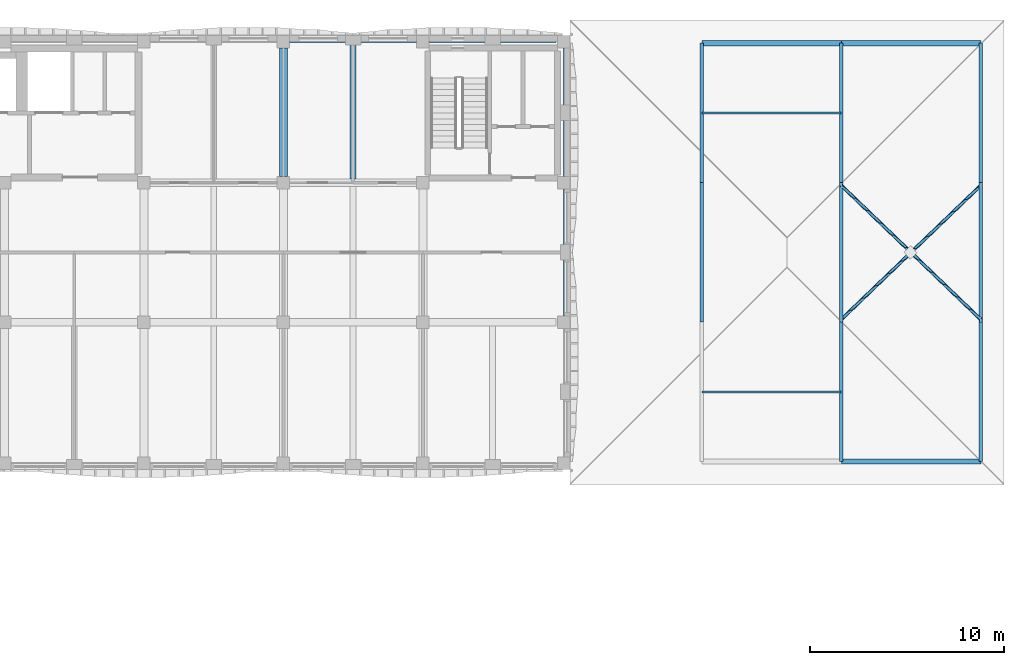
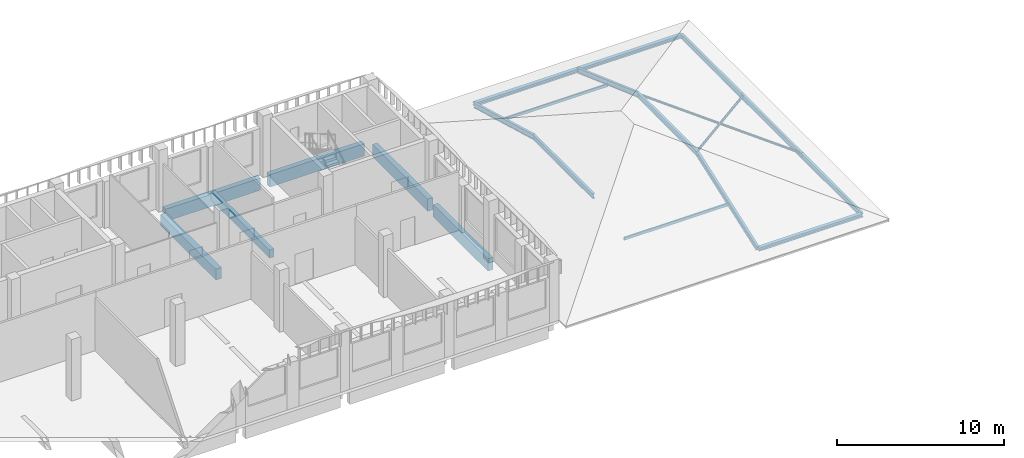
# One storey, part 13 of 54: 16 members, 6 beams.
"""IFC4 building model written with IfcOpenShell, lengths in metres."""

from ifc_helpers import new_model, si_unit, direction, frame, origin, origin_2d, place, context, subcontext, project, spatial, rectangle, hollow_rectangle, hollow_circle, i_section, extrude, material, material_profile, profile_set, type_object, element, save


model = new_model("IFC4")

# Units and contexts
model_context = context("Model", 3, precision=1e-05, world=origin(), true_north=direction((0.0, 1.0)))
body_context = subcontext(model_context, "Body", "Model", "MODEL_VIEW")
ifc_project = project(units=[si_unit("LENGTHUNIT", "METRE"), si_unit("AREAUNIT", "SQUARE_METRE"), si_unit("VOLUMEUNIT", "CUBIC_METRE"), si_unit("PLANEANGLEUNIT", "RADIAN"), si_unit("MASSUNIT", "GRAM", prefix="KILO")], contexts=[model_context])

# Site, building, storey
site_placement = place(None, origin())
site = spatial("IfcSite", under=ifc_project, at=site_placement, CompositionType="ELEMENT")
building_placement = place(site_placement, origin())
building = spatial("IfcBuilding", under=site, at=building_placement, Name="Ussher Court Research Institute", CompositionType="ELEMENT")
storey_placement = place(building_placement, frame((0.0, 0.0, 14.39990234375)))
storey = spatial("IfcBuildingStorey", under=building, at=storey_placement, Name="L03", CompositionType="ELEMENT", Elevation=14.39990234375)

# Members
ifc_material_1 = material(Name="Steel S355", Category="steel")
ifc_material_profile_1 = material_profile(ifc_material_1, hollow_circle(Radius=0.083984375, WallThickness=0.007080078125, at=origin_2d()), Name="CHS 168x7")
ifc_profile_set_1 = profile_set([ifc_material_profile_1], Name="Steel S355")
member_type_1 = type_object("IfcMemberType", Name="CHS 168x7 brace", PredefinedType="BRACE", material=ifc_profile_set_1)
member_1_placement = place(storey_placement, frame((96.610107421875, 76.14990234375, 2.7353515625), z_axis=(0.697400694075, 0.67022461888, -0.253833079308), x_axis=(-0.692919077889, 0.721015361485, 0.0)))
element("IfcMember", 1, at=member_1_placement, inside=storey, type_object=member_type_1, Name="RB2 V3 L03-01", PredefinedType="BRACE", context=body_context, shape_type="SweptSolid", body=[
    extrude(hollow_circle(Radius=0.083984375, WallThickness=0.007080078125, at=origin_2d()), origin(), (0.0, 0.0, 1.0), 10.295166015625),
])
member_2_placement = place(storey_placement, frame((96.610107421875, 83.050048828125, 2.7353515625), z_axis=(0.697378662922, -0.670252492739, -0.253820008033), x_axis=(0.692945438175, 0.720990027471, 0.0)))
element("IfcMember", 2, at=member_2_placement, inside=storey, type_object=member_type_1, Name="RB2 V3 L03-02", PredefinedType="BRACE", context=body_context, shape_type="SweptSolid", body=[
    extrude(hollow_circle(Radius=0.083984375, WallThickness=0.007080078125, at=origin_2d()), origin(), (0.0, 0.0, 1.0), 5.067138671875),
])
member_3_placement = place(storey_placement, frame((100.256103515625, 79.546142578125, 1.408203125), z_axis=(0.697403410715, -0.670229972122, -0.25381147963), x_axis=(0.69292055186, 0.721013944948, 0.0)))
element("IfcMember", 3, at=member_3_placement, inside=storey, type_object=member_type_1, Name="RB2 V3 L03-03", PredefinedType="BRACE", context=body_context, shape_type="SweptSolid", body=[
    extrude(hollow_circle(Radius=0.083984375, WallThickness=0.007080078125, at=origin_2d()), origin(), (0.0, 0.0, 1.0), 5.0673828125),
])
ifc_material_2 = material(Name="Steel S355", Category="steel")
ifc_material_profile_2 = material_profile(ifc_material_2, i_section(OverallWidth=0.260009765625, OverallDepth=0.25, WebThickness=0.007568359375, FlangeThickness=0.012451171875, at=origin_2d()), Name="HEA 260")
ifc_profile_set_2 = profile_set([ifc_material_profile_2], Name="Steel S355")
member_type_2 = type_object("IfcMemberType", Name="HEA 260 purlin", PredefinedType="PURLIN", material=ifc_profile_set_2)
member_4_placement = place(storey_placement, frame((96.60009765625, 68.800048828125, 0.0791015625), z_axis=(1.0, 0.0, 0.0), x_axis=(0.0, 1.0, 0.0)))
element("IfcMember", 4, at=member_4_placement, inside=storey, type_object=member_type_2, Name="SP2 V3 L03-02", PredefinedType="PURLIN", context=body_context, shape_type="SweptSolid", body=[
    extrude(i_section(OverallWidth=0.260009765625, OverallDepth=0.25, WebThickness=0.007568359375, FlangeThickness=0.012451171875, at=origin_2d()), origin(), (0.0, 0.0, 1.0), 7.199951171875),
])
member_5_placement = place(storey_placement, frame((89.39990234375, 90.39990234375, 0.0791015625), z_axis=(1.0, 0.0, 0.0), x_axis=(0.0, 1.0, 0.0)))
element("IfcMember", 5, at=member_5_placement, inside=storey, type_object=member_type_2, Name="SP2 V3 L03-03", PredefinedType="PURLIN", context=body_context, shape_type="SweptSolid", body=[
    extrude(i_section(OverallWidth=0.260009765625, OverallDepth=0.25, WebThickness=0.007568359375, FlangeThickness=0.012451171875, at=origin_2d()), origin(), (0.0, 0.0, 1.0), 7.2001953125),
])
member_6_placement = place(storey_placement, frame((96.60009765625, 90.39990234375, 0.0791015625), z_axis=(1.0, 0.0, 0.0), x_axis=(0.0, 1.0, 0.0)))
element("IfcMember", 6, at=member_6_placement, inside=storey, type_object=member_type_2, Name="SP2 V3 L03-04", PredefinedType="PURLIN", context=body_context, shape_type="SweptSolid", body=[
    extrude(i_section(OverallWidth=0.260009765625, OverallDepth=0.25, WebThickness=0.007568359375, FlangeThickness=0.012451171875, at=origin_2d()), origin(), (0.0, 0.0, 1.0), 7.199951171875),
])
ifc_material_3 = material(Name="Steel S355", Category="steel")
ifc_material_profile_3 = material_profile(ifc_material_3, i_section(OverallWidth=0.169921875, OverallDepth=0.360107421875, WebThickness=0.008056640625, FlangeThickness=0.0126953125, at=origin_2d()), Name="IPE 360")
ifc_profile_set_3 = profile_set([ifc_material_profile_3], Name="Steel S355")
member_type_3 = type_object("IfcMemberType", Name="IPE 360 rafter", PredefinedType="RAFTER", material=ifc_profile_set_3)
member_7_placement = place(storey_placement, frame((89.39990234375, 76.0, 2.07861328125), z_axis=(0.0, 1.0, 0.0), x_axis=(-1.0, 0.0, 0.0)))
element("IfcMember", 7, at=member_7_placement, inside=storey, type_object=member_type_3, Name="SR3 V3 L03-02", PredefinedType="RAFTER", context=body_context, shape_type="SweptSolid", body=[
    extrude(i_section(OverallWidth=0.169921875, OverallDepth=0.360107421875, WebThickness=0.008056640625, FlangeThickness=0.0126953125, at=origin_2d()), origin(), (0.0, 0.0, 1.0), 7.199951171875),
])
member_8_placement = place(storey_placement, frame((89.39990234375, 83.151611328125, 2.085205078125), z_axis=(0.0, 0.96326667261, -0.268546676461), x_axis=(-1.0, 0.0, 0.0)))
element("IfcMember", 8, at=member_8_placement, inside=storey, type_object=member_type_3, Name="SR3 V3 L03-03", PredefinedType="RAFTER", context=body_context, shape_type="SweptSolid", body=[
    extrude(i_section(OverallWidth=0.169921875, OverallDepth=0.360107421875, WebThickness=0.008056640625, FlangeThickness=0.0126953125, at=origin_2d()), origin(), (0.0, 0.0, 1.0), 7.474853515625),
])
member_9_placement = place(storey_placement, frame((96.60009765625, 68.86083984375, 0.081787109375), z_axis=(0.0, 0.940976457481, 0.338472017258), x_axis=(-1.0, 0.0, 0.0)))
element("IfcMember", 9, at=member_9_placement, inside=storey, type_object=member_type_3, Name="SR3 V3 L03-04", PredefinedType="RAFTER", context=body_context, shape_type="SweptSolid", body=[
    extrude(i_section(OverallWidth=0.169921875, OverallDepth=0.360107421875, WebThickness=0.008056640625, FlangeThickness=0.0126953125, at=origin_2d()), origin(), (0.0, 0.0, 1.0), 7.651611328125),
])
member_10_placement = place(storey_placement, frame((96.60009765625, 76.0, 2.660888671875), z_axis=(0.0, 1.0, 0.0), x_axis=(-1.0, 0.0, 0.0)))
element("IfcMember", 10, at=member_10_placement, inside=storey, type_object=member_type_3, Name="SR3 V3 L03-05", PredefinedType="RAFTER", context=body_context, shape_type="SweptSolid", body=[
    extrude(i_section(OverallWidth=0.169921875, OverallDepth=0.360107421875, WebThickness=0.008056640625, FlangeThickness=0.0126953125, at=origin_2d()), origin(), (0.0, 0.0, 1.0), 7.199951171875),
])
member_11_placement = place(storey_placement, frame((96.60009765625, 83.13916015625, 2.671630859375), z_axis=(0.0, 0.940976457481, -0.338472017258), x_axis=(-1.0, 0.0, 0.0)))
element("IfcMember", 11, at=member_11_placement, inside=storey, type_object=member_type_3, Name="SR3 V3 L03-06", PredefinedType="RAFTER", context=body_context, shape_type="SweptSolid", body=[
    extrude(i_section(OverallWidth=0.169921875, OverallDepth=0.360107421875, WebThickness=0.008056640625, FlangeThickness=0.0126953125, at=origin_2d()), origin(), (0.0, 0.0, 1.0), 7.651611328125),
])
for number, where, z_axis, x_axis, name in (
    (12, (103.800048828125, 68.800048828125, 0.040283203125), (0.0, 1.0, 0.0), (-1.0, 0.0, 0.0), "SR3 V3 L03-07"),
    (13, (103.800048828125, 76.0, 0.040283203125), (0.0, 1.0, 0.0), (-1.0, 0.0, 0.0), "SR3 V3 L03-08"),
    (14, (103.800048828125, 83.199951171875, 0.040283203125), (0.0, 1.0, 0.0), (-1.0, 0.0, 0.0), "SR3 V3 L03-09"),
):
    element("IfcMember", number, at=place(storey_placement, frame(where, z_axis=z_axis, x_axis=x_axis)), inside=storey, type_object=member_type_3, Name=name, PredefinedType="RAFTER", context=body_context, shape_type="SweptSolid", body=[
        extrude(i_section(OverallWidth=0.169921875, OverallDepth=0.360107421875, WebThickness=0.008056640625, FlangeThickness=0.0126953125, at=origin_2d()), origin(), (0.0, 0.0, 1.0), 7.199951171875),
    ])

# Beams
ifc_material_4 = material(Name="Concrete C35/45", Category="concrete")
ifc_material_profile_4 = material_profile(ifc_material_4, rectangle(XDim=0.300048828125, YDim=0.60009765625, at=origin_2d()), Name="RC 300x600")
ifc_profile_set_4 = profile_set([ifc_material_profile_4], Name="Concrete C35/45")
beam_type_1 = type_object("IfcBeamType", Name="RC 300x600 beam", PredefinedType="BEAM", material=ifc_profile_set_4)
beam_1_placement = place(storey_placement, frame((71.39990234375, 83.39990234375, -0.2998046875), z_axis=(0.0, 1.0, 0.0), x_axis=(-1.0, 0.0, 0.0)))
element("IfcBeam", 15, at=beam_1_placement, inside=storey, type_object=beam_type_1, Name="B3 V5 L03-24", PredefinedType="BEAM", context=body_context, shape_type="SweptSolid", body=[
    extrude(rectangle(XDim=0.300048828125, YDim=0.60009765625, at=origin_2d()), origin(), (0.0, 0.0, 1.0), 7.050048828125),
])
ifc_material_5 = material(Name="Concrete C35/45", Category="concrete")
ifc_material_profile_5 = material_profile(ifc_material_5, rectangle(XDim=0.35009765625, YDim=0.89990234375, at=origin_2d()), Name="RC 350x900")
ifc_profile_set_5 = profile_set([ifc_material_profile_5], Name="Concrete C35/45")
beam_type_2 = type_object("IfcBeamType", Name="RC 350x900 beam", PredefinedType="BEAM", material=ifc_profile_set_5)
for number, where, z_axis, x_axis, name in (
    (16, (68.125, 90.625, -0.64990234375), (1.0, 0.0, 0.0), (0.0, 1.0, 0.0), "SB1 V5 L03-21"),
    (17, (75.324951171875, 90.625, -0.64990234375), (1.0, 0.0, 0.0), (0.0, 1.0, 0.0), "SB1 V5 L03-22"),
    (18, (82.425048828125, 76.324951171875, -0.64990234375), (0.0, 1.0, 0.0), (-1.0, 0.0, 0.0), "SB1 V5 L03-27"),
):
    element("IfcBeam", number, at=place(storey_placement, frame(where, z_axis=z_axis, x_axis=x_axis)), inside=storey, type_object=beam_type_2, Name=name, PredefinedType="BEAM", context=body_context, shape_type="SweptSolid", body=[
        extrude(rectangle(XDim=0.35009765625, YDim=0.89990234375, at=origin_2d()), origin(), (0.0, 0.0, 1.0), 6.550048828125),
    ])
beam_2_placement = place(storey_placement, frame((82.425048828125, 83.52490234375, -0.64990234375), z_axis=(0.0, 1.0, 0.0), x_axis=(-1.0, 0.0, 0.0)))
element("IfcBeam", 19, at=beam_2_placement, inside=storey, type_object=beam_type_2, Name="SB1 V5 L03-28", PredefinedType="BEAM", context=body_context, shape_type="SweptSolid", body=[
    extrude(rectangle(XDim=0.35009765625, YDim=0.89990234375, at=origin_2d()), origin(), (0.0, 0.0, 1.0), 6.625),
])
ifc_material_6 = material(Name="Concrete C35/45", Category="concrete")
ifc_material_profile_6 = material_profile(ifc_material_6, rectangle(XDim=0.39990234375, YDim=0.800048828125, at=origin_2d()), Name="RC 400x800")
ifc_profile_set_6 = profile_set([ifc_material_profile_6], Name="Concrete C35/45")
beam_type_3 = type_object("IfcBeamType", Name="RC 400x800 beam", PredefinedType="BEAM", material=ifc_profile_set_6)
beam_3_placement = place(storey_placement, frame((67.800048828125, 83.52490234375, -0.599853515625), z_axis=(0.0, 1.0, 0.0), x_axis=(-1.0, 0.0, 0.0)))
element("IfcBeam", 20, at=beam_3_placement, inside=storey, type_object=beam_type_3, Name="B17 V5 L03-41", PredefinedType="BEAM", context=body_context, shape_type="SweptSolid", body=[
    extrude(rectangle(XDim=0.39990234375, YDim=0.800048828125, at=origin_2d()), origin(), (0.0, 0.0, 1.0), 6.625),
])

# Members
ifc_material_7 = material(Name="Steel S355", Category="steel")
ifc_material_profile_7 = material_profile(ifc_material_7, hollow_rectangle(XDim=0.10009765625, YDim=0.199951171875, WallThickness=0.008056640625, at=origin_2d()), Name="RHS 200x100x8")
ifc_profile_set_7 = profile_set([ifc_material_profile_7], Name="Steel S355")
member_type_4 = type_object("IfcMemberType", Name="RHS 200x100x8 purlin", PredefinedType="PURLIN", material=ifc_profile_set_7)
for number, where, z_axis, x_axis, name in (
    (21, (89.404052734375, 72.39990234375, 1.155029296875), (1.0, 0.0, 0.0), (0.0, 1.0, 0.0), "SP4 V3 L03-01"),
    (22, (89.404052734375, 86.800048828125, 1.155029296875), (1.0, 0.0, 0.0), (0.0, 1.0, 0.0), "SP4 V3 L03-02"),
):
    element("IfcMember", number, at=place(storey_placement, frame(where, z_axis=z_axis, x_axis=x_axis)), inside=storey, type_object=member_type_4, Name=name, PredefinedType="PURLIN", context=body_context, shape_type="SweptSolid", body=[
        extrude(hollow_rectangle(XDim=0.10009765625, YDim=0.199951171875, WallThickness=0.008056640625, at=origin_2d()), origin(), (0.0, 0.0, 1.0), 7.19189453125),
    ])

save(model, "model.ifc")
